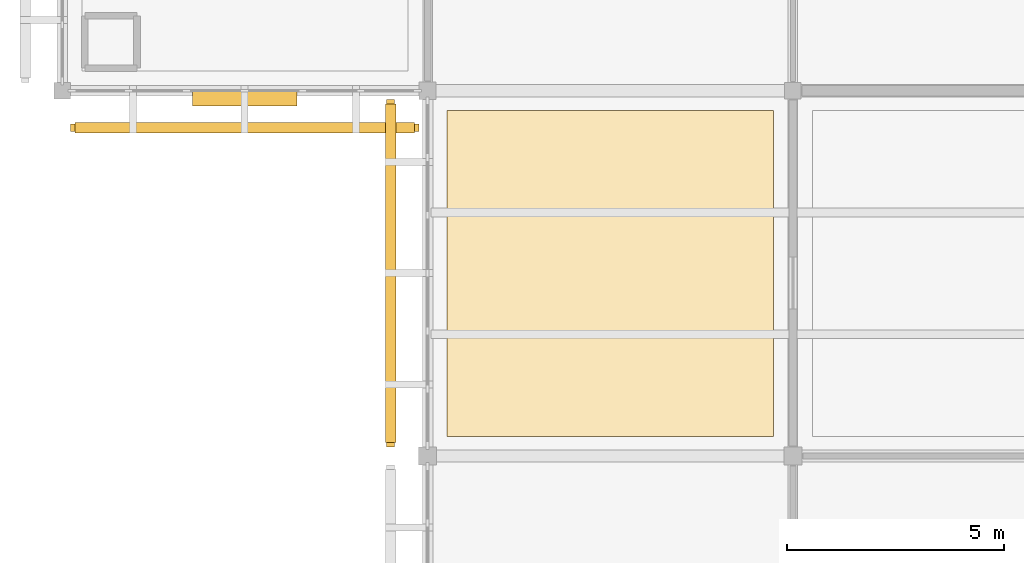
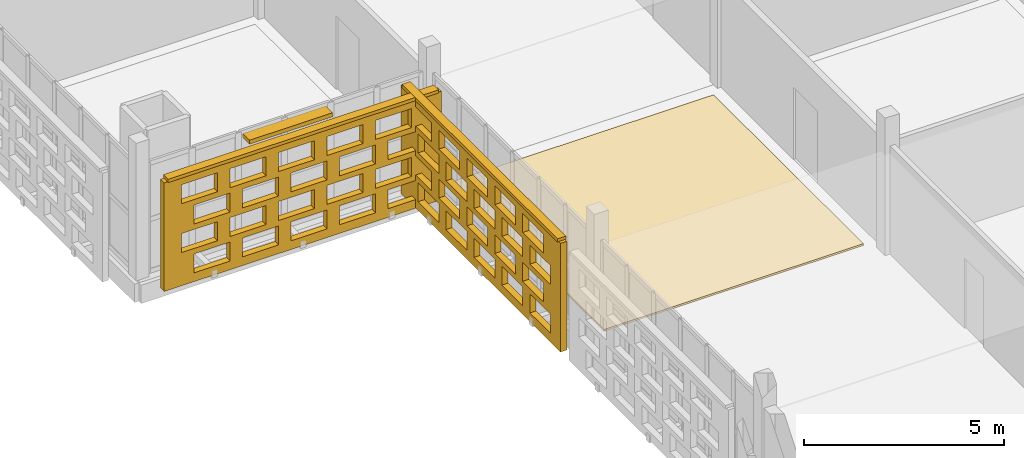
# One storey, part 119 of 166: 3 coverings, 3 shading devices, 40 openings.
"""IFC4 building model written with IfcOpenShell, lengths in metres."""

from ifc_helpers import new_model, si_unit, direction, frame, frame_2d, origin, origin_2d, place, context, subcontext, project, spatial, rectangle, extrude, material, layer, layer_set, type_object, element, save


model = new_model("IFC4")

# Units and contexts
model_context = context("Model", 3, precision=1e-05, world=origin(), true_north=direction((0.0, 1.0)))
body_context = subcontext(model_context, "Body", "Model", "MODEL_VIEW")
ifc_project = project(units=[si_unit("LENGTHUNIT", "METRE"), si_unit("AREAUNIT", "SQUARE_METRE"), si_unit("VOLUMEUNIT", "CUBIC_METRE"), si_unit("PLANEANGLEUNIT", "RADIAN"), si_unit("MASSUNIT", "GRAM", prefix="KILO")], contexts=[model_context])

# Site, building, storey
site_placement = place(None, origin())
site = spatial("IfcSite", under=ifc_project, at=site_placement, CompositionType="ELEMENT")
building_placement = place(site_placement, origin())
building = spatial("IfcBuilding", under=site, at=building_placement, Name="Varnapada Polytechnic", CompositionType="ELEMENT")
storey_placement = place(building_placement, frame((0.0, 0.0, 9.60009765625)))
storey = spatial("IfcBuildingStorey", under=building, at=storey_placement, Name="L02", CompositionType="ELEMENT", Elevation=9.60009765625)

# Covering
ifc_material_1 = material(Name="End-Grain Timber Studio Block Flooring", Category="wood")
ifc_layer_1 = layer(ifc_material_1, 0.054931640625)
ifc_layer_set_1 = layer_set([ifc_layer_1], Name="End-Grain Timber Studio Block Flooring")
covering_type_1 = type_object("IfcCoveringType", Name="Floor Finish FLR-04", PredefinedType="FLOORING", material=ifc_layer_set_1)
covering_1_placement = place(storey_placement, frame((12.60009765625, 37.800048828125, 0.0), z_axis=(0.0, 0.0, 1.0), x_axis=(1.0, 0.0, 0.0)))
element("IfcCovering", 1, at=covering_1_placement, inside=storey, type_object=covering_type_1, Name="L02 floor finish panel (2,5)", PredefinedType="FLOORING", context=body_context, shape_type="SweptSolid", body=[
    extrude(rectangle(XDim=7.5, YDim=7.5, at=origin_2d()), origin(), (0.0, 0.0, 1.0), 0.054931640625),
])

# Shading device
ifc_material_2 = material(Name="Anodised aluminium", Category="aluminium")
ifc_layer_2 = layer(ifc_material_2, 0.35009765625)
ifc_layer_set_2 = layer_set([ifc_layer_2], Name="Anodised aluminium")
shading_device_type_1 = type_object("IfcShadingDeviceType", Name="Solar Louvre LVR-01", PredefinedType="JALOUSIE", material=ifc_layer_set_2)
shading_device_1_placement = place(storey_placement, frame((4.195068359375, 41.820068359375, 3.159912109375), z_axis=(0.0, 0.0, 1.0), x_axis=(-1.0, 0.0, 0.0)))
element("IfcShadingDevice", 2, at=shading_device_1_placement, inside=storey, type_object=shading_device_type_1, Name="L02 aluminium sun louvre 1", PredefinedType="JALOUSIE", context=body_context, shape_type="SweptSolid", body=[
    extrude(rectangle(XDim=2.39990234375, YDim=0.340087890625, at=origin_2d()), origin(), (0.0, 0.0, 1.0), 0.1201171875),
])

# Covering, openings
ifc_material_3 = material(Name="Earth-toned architectural terracotta screen block", Category="masonry")
ifc_layer_3 = layer(ifc_material_3, 0.1201171875)
ifc_layer_set_3 = layer_set([ifc_layer_3], Name="Earth-toned architectural terracotta screen block")
covering_type_2 = type_object("IfcCoveringType", Name="Terracotta Screen Cladding CLD-01", PredefinedType="CLADDING", material=ifc_layer_set_3)
covering_2_placement = place(storey_placement, frame((8.199951171875, 41.14990234375, 0.0), z_axis=(0.0, 0.0, 1.0), x_axis=(-1.0, 0.0, 0.0)))
covering_2 = element("IfcCovering", 3, at=covering_2_placement, inside=storey, type_object=covering_type_2, Name="L02 perforated terracotta block screen (1)", PredefinedType="CLADDING", context=body_context, shape_type="SweptSolid", body=[
    extrude(rectangle(XDim=8.010009765625, YDim=0.179931640625, at=frame_2d((4.0048828125, 0.0))), origin(), (0.0, 0.0, 1.0), 3.31982421875),
])
opening_1_placement = place(covering_2_placement, frame((0.5048828125, 0.0, 0.265625)))
element("IfcOpeningElement", 4, at=opening_1_placement, cuts=covering_2, Name="Screen perforation TBS-L02-000.1", PredefinedType="OPENING", context=body_context, shape_type="SweptSolid", body=[
    extrude(rectangle(XDim=1.0400390625, YDim=0.5810546875, at=frame_2d((0.52001953125, 0.29052734375))), frame((0.0, 0.099853515625, 0.0), z_axis=(0.0, -1.0, 0.0), x_axis=(1.0, 0.0, 0.0)), (0.0, 0.0, 1.0), 0.199951171875),
])
opening_2_placement = place(covering_2_placement, frame((1.905029296875, 0.0, 0.265625)))
element("IfcOpeningElement", 5, at=opening_2_placement, cuts=covering_2, Name="Screen perforation TBS-L02-000.2", PredefinedType="OPENING", context=body_context, shape_type="SweptSolid", body=[
    extrude(rectangle(XDim=1.0400390625, YDim=0.5810546875, at=frame_2d((0.52001953125, 0.29052734375))), frame((0.0, 0.099853515625, 0.0), z_axis=(0.0, -1.0, 0.0), x_axis=(1.0, 0.0, 0.0)), (0.0, 0.0, 1.0), 0.199951171875),
])
opening_3_placement = place(covering_2_placement, frame((3.304931640625, 0.0, 0.265625)))
element("IfcOpeningElement", 6, at=opening_3_placement, cuts=covering_2, Name="Screen perforation TBS-L02-000.3", PredefinedType="OPENING", context=body_context, shape_type="SweptSolid", body=[
    extrude(rectangle(XDim=1.0400390625, YDim=0.5810546875, at=frame_2d((0.52001953125, 0.29052734375))), frame((0.0, 0.099853515625, 0.0), z_axis=(0.0, -1.0, 0.0), x_axis=(1.0, 0.0, 0.0)), (0.0, 0.0, 1.0), 0.199951171875),
])
opening_4_placement = place(covering_2_placement, frame((4.705078125, 0.0, 0.265625)))
element("IfcOpeningElement", 7, at=opening_4_placement, cuts=covering_2, Name="Screen perforation TBS-L02-000.4", PredefinedType="OPENING", context=body_context, shape_type="SweptSolid", body=[
    extrude(rectangle(XDim=1.0400390625, YDim=0.5810546875, at=frame_2d((0.52001953125, 0.29052734375))), frame((0.0, 0.099853515625, 0.0), z_axis=(0.0, -1.0, 0.0), x_axis=(1.0, 0.0, 0.0)), (0.0, 0.0, 1.0), 0.199951171875),
])
opening_5_placement = place(covering_2_placement, frame((6.10498046875, 0.0, 0.265625)))
element("IfcOpeningElement", 8, at=opening_5_placement, cuts=covering_2, Name="Screen perforation TBS-L02-000.5", PredefinedType="OPENING", context=body_context, shape_type="SweptSolid", body=[
    extrude(rectangle(XDim=1.0400390625, YDim=0.5810546875, at=frame_2d((0.52001953125, 0.29052734375))), frame((0.0, 0.099853515625, 0.0), z_axis=(0.0, -1.0, 0.0), x_axis=(1.0, 0.0, 0.0)), (0.0, 0.0, 1.0), 0.199951171875),
])
opening_6_placement = place(covering_2_placement, frame((0.864990234375, 0.0, 1.0126953125)))
element("IfcOpeningElement", 9, at=opening_6_placement, cuts=covering_2, Name="Screen perforation TBS-L02-000.6", PredefinedType="OPENING", context=body_context, shape_type="SweptSolid", body=[
    extrude(rectangle(XDim=1.0400390625, YDim=0.5810546875, at=frame_2d((0.52001953125, 0.29052734375))), frame((0.0, 0.099853515625, 0.0), z_axis=(0.0, -1.0, 0.0), x_axis=(1.0, 0.0, 0.0)), (0.0, 0.0, 1.0), 0.199951171875),
])
opening_7_placement = place(covering_2_placement, frame((2.264892578125, 0.0, 1.0126953125)))
element("IfcOpeningElement", 10, at=opening_7_placement, cuts=covering_2, Name="Screen perforation TBS-L02-000.7", PredefinedType="OPENING", context=body_context, shape_type="SweptSolid", body=[
    extrude(rectangle(XDim=1.0400390625, YDim=0.5810546875, at=frame_2d((0.52001953125, 0.29052734375))), frame((0.0, 0.099853515625, 0.0), z_axis=(0.0, -1.0, 0.0), x_axis=(1.0, 0.0, 0.0)), (0.0, 0.0, 1.0), 0.199951171875),
])
opening_8_placement = place(covering_2_placement, frame((3.6650390625, 0.0, 1.0126953125)))
element("IfcOpeningElement", 11, at=opening_8_placement, cuts=covering_2, Name="Screen perforation TBS-L02-000.8", PredefinedType="OPENING", context=body_context, shape_type="SweptSolid", body=[
    extrude(rectangle(XDim=1.0400390625, YDim=0.5810546875, at=frame_2d((0.52001953125, 0.29052734375))), frame((0.0, 0.099853515625, 0.0), z_axis=(0.0, -1.0, 0.0), x_axis=(1.0, 0.0, 0.0)), (0.0, 0.0, 1.0), 0.199951171875),
])
opening_9_placement = place(covering_2_placement, frame((5.06494140625, 0.0, 1.0126953125)))
element("IfcOpeningElement", 12, at=opening_9_placement, cuts=covering_2, Name="Screen perforation TBS-L02-000.9", PredefinedType="OPENING", context=body_context, shape_type="SweptSolid", body=[
    extrude(rectangle(XDim=1.0400390625, YDim=0.5810546875, at=frame_2d((0.52001953125, 0.29052734375))), frame((0.0, 0.099853515625, 0.0), z_axis=(0.0, -1.0, 0.0), x_axis=(1.0, 0.0, 0.0)), (0.0, 0.0, 1.0), 0.199951171875),
])
opening_10_placement = place(covering_2_placement, frame((6.465087890625, 0.0, 1.0126953125)))
element("IfcOpeningElement", 13, at=opening_10_placement, cuts=covering_2, Name="Screen perforation TBS-L02-000.10", PredefinedType="OPENING", context=body_context, shape_type="SweptSolid", body=[
    extrude(rectangle(XDim=1.0400390625, YDim=0.5810546875, at=frame_2d((0.52001953125, 0.29052734375))), frame((0.0, 0.099853515625, 0.0), z_axis=(0.0, -1.0, 0.0), x_axis=(1.0, 0.0, 0.0)), (0.0, 0.0, 1.0), 0.199951171875),
])
opening_11_placement = place(covering_2_placement, frame((0.5048828125, 0.0, 1.759521484375)))
element("IfcOpeningElement", 14, at=opening_11_placement, cuts=covering_2, Name="Screen perforation TBS-L02-000.11", PredefinedType="OPENING", context=body_context, shape_type="SweptSolid", body=[
    extrude(rectangle(XDim=1.0400390625, YDim=0.5810546875, at=frame_2d((0.52001953125, 0.29052734375))), frame((0.0, 0.099853515625, 0.0), z_axis=(0.0, -1.0, 0.0), x_axis=(1.0, 0.0, 0.0)), (0.0, 0.0, 1.0), 0.199951171875),
])
opening_12_placement = place(covering_2_placement, frame((1.905029296875, 0.0, 1.759521484375)))
element("IfcOpeningElement", 15, at=opening_12_placement, cuts=covering_2, Name="Screen perforation TBS-L02-000.12", PredefinedType="OPENING", context=body_context, shape_type="SweptSolid", body=[
    extrude(rectangle(XDim=1.0400390625, YDim=0.5810546875, at=frame_2d((0.52001953125, 0.29052734375))), frame((0.0, 0.099853515625, 0.0), z_axis=(0.0, -1.0, 0.0), x_axis=(1.0, 0.0, 0.0)), (0.0, 0.0, 1.0), 0.199951171875),
])
opening_13_placement = place(covering_2_placement, frame((3.304931640625, 0.0, 1.759521484375)))
element("IfcOpeningElement", 16, at=opening_13_placement, cuts=covering_2, Name="Screen perforation TBS-L02-000.13", PredefinedType="OPENING", context=body_context, shape_type="SweptSolid", body=[
    extrude(rectangle(XDim=1.0400390625, YDim=0.5810546875, at=frame_2d((0.52001953125, 0.29052734375))), frame((0.0, 0.099853515625, 0.0), z_axis=(0.0, -1.0, 0.0), x_axis=(1.0, 0.0, 0.0)), (0.0, 0.0, 1.0), 0.199951171875),
])
opening_14_placement = place(covering_2_placement, frame((4.705078125, 0.0, 1.759521484375)))
element("IfcOpeningElement", 17, at=opening_14_placement, cuts=covering_2, Name="Screen perforation TBS-L02-000.14", PredefinedType="OPENING", context=body_context, shape_type="SweptSolid", body=[
    extrude(rectangle(XDim=1.0400390625, YDim=0.5810546875, at=frame_2d((0.52001953125, 0.29052734375))), frame((0.0, 0.099853515625, 0.0), z_axis=(0.0, -1.0, 0.0), x_axis=(1.0, 0.0, 0.0)), (0.0, 0.0, 1.0), 0.199951171875),
])
opening_15_placement = place(covering_2_placement, frame((6.10498046875, 0.0, 1.759521484375)))
element("IfcOpeningElement", 18, at=opening_15_placement, cuts=covering_2, Name="Screen perforation TBS-L02-000.15", PredefinedType="OPENING", context=body_context, shape_type="SweptSolid", body=[
    extrude(rectangle(XDim=1.0400390625, YDim=0.5810546875, at=frame_2d((0.52001953125, 0.29052734375))), frame((0.0, 0.099853515625, 0.0), z_axis=(0.0, -1.0, 0.0), x_axis=(1.0, 0.0, 0.0)), (0.0, 0.0, 1.0), 0.199951171875),
])
opening_16_placement = place(covering_2_placement, frame((0.864990234375, 0.0, 2.506591796875)))
element("IfcOpeningElement", 19, at=opening_16_placement, cuts=covering_2, Name="Screen perforation TBS-L02-000.16", PredefinedType="OPENING", context=body_context, shape_type="SweptSolid", body=[
    extrude(rectangle(XDim=1.0400390625, YDim=0.5810546875, at=frame_2d((0.52001953125, 0.29052734375))), frame((0.0, 0.099853515625, 0.0), z_axis=(0.0, -1.0, 0.0), x_axis=(1.0, 0.0, 0.0)), (0.0, 0.0, 1.0), 0.199951171875),
])
opening_17_placement = place(covering_2_placement, frame((2.264892578125, 0.0, 2.506591796875)))
element("IfcOpeningElement", 20, at=opening_17_placement, cuts=covering_2, Name="Screen perforation TBS-L02-000.17", PredefinedType="OPENING", context=body_context, shape_type="SweptSolid", body=[
    extrude(rectangle(XDim=1.0400390625, YDim=0.5810546875, at=frame_2d((0.52001953125, 0.29052734375))), frame((0.0, 0.099853515625, 0.0), z_axis=(0.0, -1.0, 0.0), x_axis=(1.0, 0.0, 0.0)), (0.0, 0.0, 1.0), 0.199951171875),
])
opening_18_placement = place(covering_2_placement, frame((3.6650390625, 0.0, 2.506591796875)))
element("IfcOpeningElement", 21, at=opening_18_placement, cuts=covering_2, Name="Screen perforation TBS-L02-000.18", PredefinedType="OPENING", context=body_context, shape_type="SweptSolid", body=[
    extrude(rectangle(XDim=1.0400390625, YDim=0.5810546875, at=frame_2d((0.52001953125, 0.29052734375))), frame((0.0, 0.099853515625, 0.0), z_axis=(0.0, -1.0, 0.0), x_axis=(1.0, 0.0, 0.0)), (0.0, 0.0, 1.0), 0.199951171875),
])
opening_19_placement = place(covering_2_placement, frame((5.06494140625, 0.0, 2.506591796875)))
element("IfcOpeningElement", 22, at=opening_19_placement, cuts=covering_2, Name="Screen perforation TBS-L02-000.19", PredefinedType="OPENING", context=body_context, shape_type="SweptSolid", body=[
    extrude(rectangle(XDim=1.0400390625, YDim=0.5810546875, at=frame_2d((0.52001953125, 0.29052734375))), frame((0.0, 0.099853515625, 0.0), z_axis=(0.0, -1.0, 0.0), x_axis=(1.0, 0.0, 0.0)), (0.0, 0.0, 1.0), 0.199951171875),
])
opening_20_placement = place(covering_2_placement, frame((6.465087890625, 0.0, 2.506591796875)))
element("IfcOpeningElement", 23, at=opening_20_placement, cuts=covering_2, Name="Screen perforation TBS-L02-000.20", PredefinedType="OPENING", context=body_context, shape_type="SweptSolid", body=[
    extrude(rectangle(XDim=1.0400390625, YDim=0.5810546875, at=frame_2d((0.52001953125, 0.29052734375))), frame((0.0, 0.099853515625, 0.0), z_axis=(0.0, -1.0, 0.0), x_axis=(1.0, 0.0, 0.0)), (0.0, 0.0, 1.0), 0.199951171875),
])

covering_3_placement = place(storey_placement, frame((7.550048828125, 33.81005859375, 0.0), z_axis=(0.0, 0.0, 1.0), x_axis=(0.0, 1.0, 0.0)))
covering_3 = element("IfcCovering", 24, at=covering_3_placement, inside=storey, type_object=covering_type_2, Name="L02 perforated terracotta block screen (18)", PredefinedType="CLADDING", context=body_context, shape_type="SweptSolid", body=[
    extrude(rectangle(XDim=7.989990234375, YDim=0.179931640625, at=frame_2d((3.9951171875, 0.0))), origin(), (0.0, 0.0, 1.0), 3.31982421875),
])
opening_21_placement = place(covering_3_placement, frame((0.4951171875, 0.0, 0.265625)))
element("IfcOpeningElement", 25, at=opening_21_placement, cuts=covering_3, Name="Screen perforation TBS-L02-017.1", PredefinedType="OPENING", context=body_context, shape_type="SweptSolid", body=[
    extrude(rectangle(XDim=1.0400390625, YDim=0.5810546875, at=frame_2d((0.52001953125, 0.29052734375))), frame((0.0, 0.099853515625, 0.0), z_axis=(0.0, -1.0, 0.0), x_axis=(1.0, 0.0, 0.0)), (0.0, 0.0, 1.0), 0.199951171875),
])
opening_22_placement = place(covering_3_placement, frame((1.89501953125, 0.0, 0.265625)))
element("IfcOpeningElement", 26, at=opening_22_placement, cuts=covering_3, Name="Screen perforation TBS-L02-017.2", PredefinedType="OPENING", context=body_context, shape_type="SweptSolid", body=[
    extrude(rectangle(XDim=1.0400390625, YDim=0.5810546875, at=frame_2d((0.52001953125, 0.29052734375))), frame((0.0, 0.099853515625, 0.0), z_axis=(0.0, -1.0, 0.0), x_axis=(1.0, 0.0, 0.0)), (0.0, 0.0, 1.0), 0.199951171875),
])
opening_23_placement = place(covering_3_placement, frame((3.294921875, 0.0, 0.265625)))
element("IfcOpeningElement", 27, at=opening_23_placement, cuts=covering_3, Name="Screen perforation TBS-L02-017.3", PredefinedType="OPENING", context=body_context, shape_type="SweptSolid", body=[
    extrude(rectangle(XDim=1.0400390625, YDim=0.5810546875, at=frame_2d((0.52001953125, 0.29052734375))), frame((0.0, 0.099853515625, 0.0), z_axis=(0.0, -1.0, 0.0), x_axis=(1.0, 0.0, 0.0)), (0.0, 0.0, 1.0), 0.199951171875),
])
opening_24_placement = place(covering_3_placement, frame((4.695068359375, 0.0, 0.265625)))
element("IfcOpeningElement", 28, at=opening_24_placement, cuts=covering_3, Name="Screen perforation TBS-L02-017.4", PredefinedType="OPENING", context=body_context, shape_type="SweptSolid", body=[
    extrude(rectangle(XDim=1.0400390625, YDim=0.5810546875, at=frame_2d((0.52001953125, 0.29052734375))), frame((0.0, 0.099853515625, 0.0), z_axis=(0.0, -1.0, 0.0), x_axis=(1.0, 0.0, 0.0)), (0.0, 0.0, 1.0), 0.199951171875),
])
opening_25_placement = place(covering_3_placement, frame((6.094970703125, 0.0, 0.265625)))
element("IfcOpeningElement", 29, at=opening_25_placement, cuts=covering_3, Name="Screen perforation TBS-L02-017.5", PredefinedType="OPENING", context=body_context, shape_type="SweptSolid", body=[
    extrude(rectangle(XDim=1.0400390625, YDim=0.5810546875, at=frame_2d((0.52001953125, 0.29052734375))), frame((0.0, 0.099853515625, 0.0), z_axis=(0.0, -1.0, 0.0), x_axis=(1.0, 0.0, 0.0)), (0.0, 0.0, 1.0), 0.199951171875),
])
opening_26_placement = place(covering_3_placement, frame((0.85498046875, 0.0, 1.0126953125)))
element("IfcOpeningElement", 30, at=opening_26_placement, cuts=covering_3, Name="Screen perforation TBS-L02-017.6", PredefinedType="OPENING", context=body_context, shape_type="SweptSolid", body=[
    extrude(rectangle(XDim=1.0400390625, YDim=0.5810546875, at=frame_2d((0.52001953125, 0.29052734375))), frame((0.0, 0.099853515625, 0.0), z_axis=(0.0, -1.0, 0.0), x_axis=(1.0, 0.0, 0.0)), (0.0, 0.0, 1.0), 0.199951171875),
])
opening_27_placement = place(covering_3_placement, frame((2.2548828125, 0.0, 1.0126953125)))
element("IfcOpeningElement", 31, at=opening_27_placement, cuts=covering_3, Name="Screen perforation TBS-L02-017.7", PredefinedType="OPENING", context=body_context, shape_type="SweptSolid", body=[
    extrude(rectangle(XDim=1.0400390625, YDim=0.5810546875, at=frame_2d((0.52001953125, 0.29052734375))), frame((0.0, 0.099853515625, 0.0), z_axis=(0.0, -1.0, 0.0), x_axis=(1.0, 0.0, 0.0)), (0.0, 0.0, 1.0), 0.199951171875),
])
opening_28_placement = place(covering_3_placement, frame((3.655029296875, 0.0, 1.0126953125)))
element("IfcOpeningElement", 32, at=opening_28_placement, cuts=covering_3, Name="Screen perforation TBS-L02-017.8", PredefinedType="OPENING", context=body_context, shape_type="SweptSolid", body=[
    extrude(rectangle(XDim=1.0400390625, YDim=0.5810546875, at=frame_2d((0.52001953125, 0.29052734375))), frame((0.0, 0.099853515625, 0.0), z_axis=(0.0, -1.0, 0.0), x_axis=(1.0, 0.0, 0.0)), (0.0, 0.0, 1.0), 0.199951171875),
])
opening_29_placement = place(covering_3_placement, frame((5.054931640625, 0.0, 1.0126953125)))
element("IfcOpeningElement", 33, at=opening_29_placement, cuts=covering_3, Name="Screen perforation TBS-L02-017.9", PredefinedType="OPENING", context=body_context, shape_type="SweptSolid", body=[
    extrude(rectangle(XDim=1.0400390625, YDim=0.5810546875, at=frame_2d((0.52001953125, 0.29052734375))), frame((0.0, 0.099853515625, 0.0), z_axis=(0.0, -1.0, 0.0), x_axis=(1.0, 0.0, 0.0)), (0.0, 0.0, 1.0), 0.199951171875),
])
opening_30_placement = place(covering_3_placement, frame((6.455078125, 0.0, 1.0126953125)))
element("IfcOpeningElement", 34, at=opening_30_placement, cuts=covering_3, Name="Screen perforation TBS-L02-017.10", PredefinedType="OPENING", context=body_context, shape_type="SweptSolid", body=[
    extrude(rectangle(XDim=1.0400390625, YDim=0.5810546875, at=frame_2d((0.52001953125, 0.29052734375))), frame((0.0, 0.099853515625, 0.0), z_axis=(0.0, -1.0, 0.0), x_axis=(1.0, 0.0, 0.0)), (0.0, 0.0, 1.0), 0.199951171875),
])
opening_31_placement = place(covering_3_placement, frame((0.4951171875, 0.0, 1.759521484375)))
element("IfcOpeningElement", 35, at=opening_31_placement, cuts=covering_3, Name="Screen perforation TBS-L02-017.11", PredefinedType="OPENING", context=body_context, shape_type="SweptSolid", body=[
    extrude(rectangle(XDim=1.0400390625, YDim=0.5810546875, at=frame_2d((0.52001953125, 0.29052734375))), frame((0.0, 0.099853515625, 0.0), z_axis=(0.0, -1.0, 0.0), x_axis=(1.0, 0.0, 0.0)), (0.0, 0.0, 1.0), 0.199951171875),
])
opening_32_placement = place(covering_3_placement, frame((1.89501953125, 0.0, 1.759521484375)))
element("IfcOpeningElement", 36, at=opening_32_placement, cuts=covering_3, Name="Screen perforation TBS-L02-017.12", PredefinedType="OPENING", context=body_context, shape_type="SweptSolid", body=[
    extrude(rectangle(XDim=1.0400390625, YDim=0.5810546875, at=frame_2d((0.52001953125, 0.29052734375))), frame((0.0, 0.099853515625, 0.0), z_axis=(0.0, -1.0, 0.0), x_axis=(1.0, 0.0, 0.0)), (0.0, 0.0, 1.0), 0.199951171875),
])
opening_33_placement = place(covering_3_placement, frame((3.294921875, 0.0, 1.759521484375)))
element("IfcOpeningElement", 37, at=opening_33_placement, cuts=covering_3, Name="Screen perforation TBS-L02-017.13", PredefinedType="OPENING", context=body_context, shape_type="SweptSolid", body=[
    extrude(rectangle(XDim=1.0400390625, YDim=0.5810546875, at=frame_2d((0.52001953125, 0.29052734375))), frame((0.0, 0.099853515625, 0.0), z_axis=(0.0, -1.0, 0.0), x_axis=(1.0, 0.0, 0.0)), (0.0, 0.0, 1.0), 0.199951171875),
])
opening_34_placement = place(covering_3_placement, frame((4.695068359375, 0.0, 1.759521484375)))
element("IfcOpeningElement", 38, at=opening_34_placement, cuts=covering_3, Name="Screen perforation TBS-L02-017.14", PredefinedType="OPENING", context=body_context, shape_type="SweptSolid", body=[
    extrude(rectangle(XDim=1.0400390625, YDim=0.5810546875, at=frame_2d((0.52001953125, 0.29052734375))), frame((0.0, 0.099853515625, 0.0), z_axis=(0.0, -1.0, 0.0), x_axis=(1.0, 0.0, 0.0)), (0.0, 0.0, 1.0), 0.199951171875),
])
opening_35_placement = place(covering_3_placement, frame((6.094970703125, 0.0, 1.759521484375)))
element("IfcOpeningElement", 39, at=opening_35_placement, cuts=covering_3, Name="Screen perforation TBS-L02-017.15", PredefinedType="OPENING", context=body_context, shape_type="SweptSolid", body=[
    extrude(rectangle(XDim=1.0400390625, YDim=0.5810546875, at=frame_2d((0.52001953125, 0.29052734375))), frame((0.0, 0.099853515625, 0.0), z_axis=(0.0, -1.0, 0.0), x_axis=(1.0, 0.0, 0.0)), (0.0, 0.0, 1.0), 0.199951171875),
])
opening_36_placement = place(covering_3_placement, frame((0.85498046875, 0.0, 2.506591796875)))
element("IfcOpeningElement", 40, at=opening_36_placement, cuts=covering_3, Name="Screen perforation TBS-L02-017.16", PredefinedType="OPENING", context=body_context, shape_type="SweptSolid", body=[
    extrude(rectangle(XDim=1.0400390625, YDim=0.5810546875, at=frame_2d((0.52001953125, 0.29052734375))), frame((0.0, 0.099853515625, 0.0), z_axis=(0.0, -1.0, 0.0), x_axis=(1.0, 0.0, 0.0)), (0.0, 0.0, 1.0), 0.199951171875),
])
opening_37_placement = place(covering_3_placement, frame((2.2548828125, 0.0, 2.506591796875)))
element("IfcOpeningElement", 41, at=opening_37_placement, cuts=covering_3, Name="Screen perforation TBS-L02-017.17", PredefinedType="OPENING", context=body_context, shape_type="SweptSolid", body=[
    extrude(rectangle(XDim=1.0400390625, YDim=0.5810546875, at=frame_2d((0.52001953125, 0.29052734375))), frame((0.0, 0.099853515625, 0.0), z_axis=(0.0, -1.0, 0.0), x_axis=(1.0, 0.0, 0.0)), (0.0, 0.0, 1.0), 0.199951171875),
])
opening_38_placement = place(covering_3_placement, frame((3.655029296875, 0.0, 2.506591796875)))
element("IfcOpeningElement", 42, at=opening_38_placement, cuts=covering_3, Name="Screen perforation TBS-L02-017.18", PredefinedType="OPENING", context=body_context, shape_type="SweptSolid", body=[
    extrude(rectangle(XDim=1.0400390625, YDim=0.5810546875, at=frame_2d((0.52001953125, 0.29052734375))), frame((0.0, 0.099853515625, 0.0), z_axis=(0.0, -1.0, 0.0), x_axis=(1.0, 0.0, 0.0)), (0.0, 0.0, 1.0), 0.199951171875),
])
opening_39_placement = place(covering_3_placement, frame((5.054931640625, 0.0, 2.506591796875)))
element("IfcOpeningElement", 43, at=opening_39_placement, cuts=covering_3, Name="Screen perforation TBS-L02-017.19", PredefinedType="OPENING", context=body_context, shape_type="SweptSolid", body=[
    extrude(rectangle(XDim=1.0400390625, YDim=0.5810546875, at=frame_2d((0.52001953125, 0.29052734375))), frame((0.0, 0.099853515625, 0.0), z_axis=(0.0, -1.0, 0.0), x_axis=(1.0, 0.0, 0.0)), (0.0, 0.0, 1.0), 0.199951171875),
])
opening_40_placement = place(covering_3_placement, frame((6.455078125, 0.0, 2.506591796875)))
element("IfcOpeningElement", 44, at=opening_40_placement, cuts=covering_3, Name="Screen perforation TBS-L02-017.20", PredefinedType="OPENING", context=body_context, shape_type="SweptSolid", body=[
    extrude(rectangle(XDim=1.0400390625, YDim=0.5810546875, at=frame_2d((0.52001953125, 0.29052734375))), frame((0.0, 0.099853515625, 0.0), z_axis=(0.0, -1.0, 0.0), x_axis=(1.0, 0.0, 0.0)), (0.0, 0.0, 1.0), 0.199951171875),
])

# Shading devices
ifc_layer_4 = layer(ifc_material_3, 0.179931640625)
ifc_layer_set_4 = layer_set([ifc_layer_4], Name="Earth-toned architectural terracotta screen block")
shading_device_type_2 = type_object("IfcShadingDeviceType", Name="Terracotta Screen SCR-01", PredefinedType="USERDEFINED", material=ifc_layer_set_4)
shading_device_2_placement = place(storey_placement, frame((4.195068359375, 41.14990234375, 3.309814453125), z_axis=(0.0, 0.0, 1.0), x_axis=(-1.0, 0.0, 0.0)))
element("IfcShadingDevice", 45, at=shading_device_2_placement, inside=storey, type_object=shading_device_type_2, Name="L02 perforated terracotta screen hood 231", ObjectType="SCREEN", PredefinedType="USERDEFINED", context=body_context, shape_type="SweptSolid", body=[
    extrude(rectangle(XDim=7.81005859375, YDim=0.239990234375, at=origin_2d()), origin(), (0.0, 0.0, 1.0), 0.10009765625),
])
shading_device_3_placement = place(storey_placement, frame((7.550048828125, 37.804931640625, 3.309814453125), z_axis=(0.0, 0.0, 1.0), x_axis=(0.0, 1.0, 0.0)))
element("IfcShadingDevice", 46, at=shading_device_3_placement, inside=storey, type_object=shading_device_type_2, Name="L02 perforated terracotta screen hood 247", ObjectType="SCREEN", PredefinedType="USERDEFINED", context=body_context, shape_type="SweptSolid", body=[
    extrude(rectangle(XDim=7.7900390625, YDim=0.239990234375, at=origin_2d()), origin(), (0.0, 0.0, 1.0), 0.10009765625),
])

save(model, "model.ifc")
